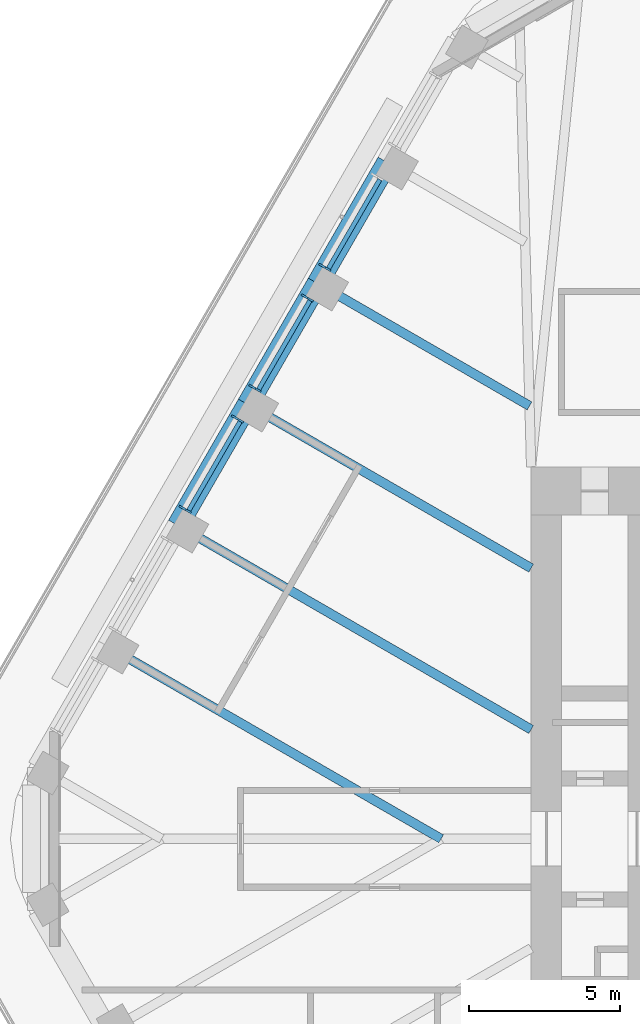
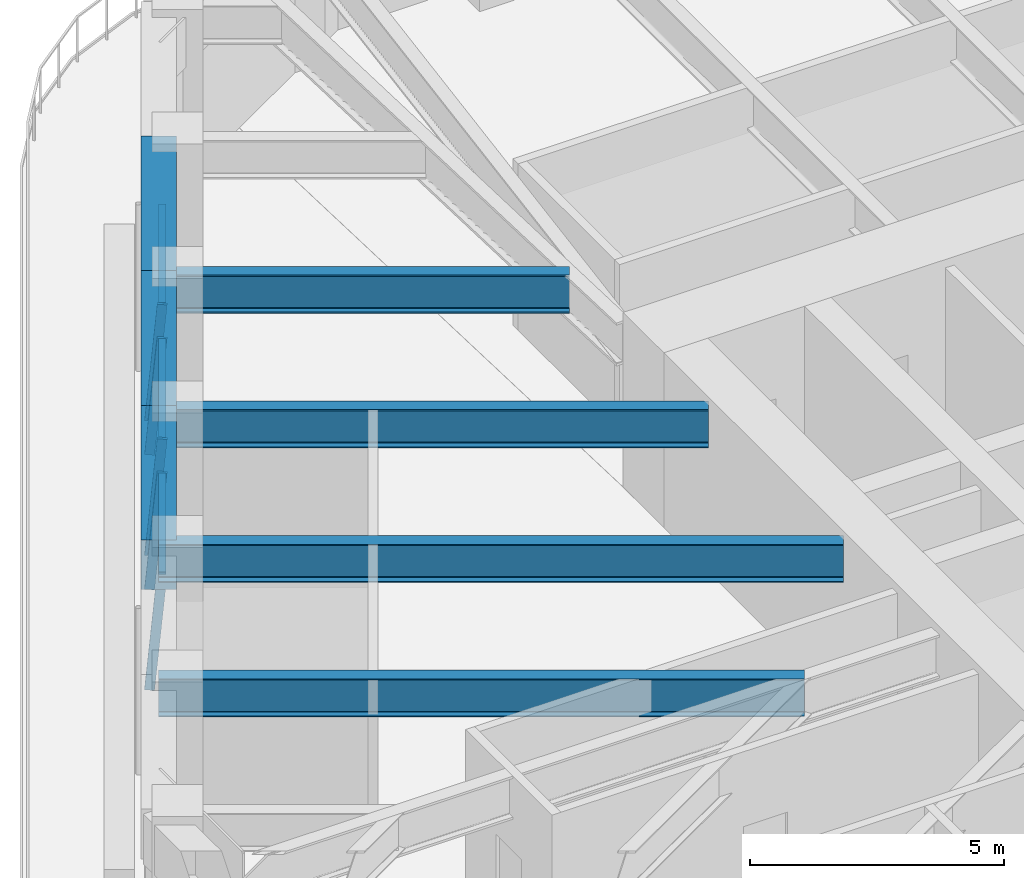
# One storey, part 7 of 20: 8 members, 7 beams, 3 elements without a shape of their own.
"""IFC4 building model written with IfcOpenShell, lengths in metres."""

from ifc_helpers import new_model, si_unit, direction, frame, origin, origin_2d, place, context, subcontext, project, spatial, rectangle, i_section, extrude, material, material_profile, profile_set, type_object, element, aggregate, save


model = new_model("IFC4")

# Units and contexts
model_context = context("Model", 3, precision=1e-05, world=origin(), true_north=direction((0.0, 1.0)))
body_context = subcontext(model_context, "Body", "Model", "MODEL_VIEW")
ifc_project = project(units=[si_unit("LENGTHUNIT", "METRE"), si_unit("AREAUNIT", "SQUARE_METRE"), si_unit("VOLUMEUNIT", "CUBIC_METRE"), si_unit("PLANEANGLEUNIT", "RADIAN"), si_unit("MASSUNIT", "GRAM", prefix="KILO")], contexts=[model_context])

# Site, building, storey
site_placement = place(None, origin())
site = spatial("IfcSite", under=ifc_project, at=site_placement, CompositionType="ELEMENT")
building_placement = place(site_placement, origin())
building = spatial("IfcBuilding", under=site, at=building_placement, Name="Tarfa Lantern Tower", CompositionType="ELEMENT")
storey_placement = place(building_placement, frame((0.0, 0.0, 282.699951171875)))
storey = spatial("IfcBuildingStorey", under=building, at=storey_placement, Name="L64", CompositionType="ELEMENT", Elevation=282.699951171875)

# Curtain wall, member
ifc_material_1 = material(Name="Aluminium framed curtain wall", Category="aluminium")
curtain_wall_type = type_object("IfcCurtainWallType", Name="CW3 CANTED GLAZING HIGH ZONE 2800", PredefinedType="USERDEFINED", material=ifc_material_1)
curtain_wall_1_placement = place(storey_placement, origin())
curtain_wall_1 = element("IfcCurtainWall", 1, at=curtain_wall_1_placement, inside=storey, type_object=curtain_wall_type, Name="CW3 NW L64", ObjectType="CURTAIN WALL", PredefinedType="USERDEFINED")
ifc_material_2 = material(Name="Aluminium mullion", Category="aluminium")
ifc_material_profile_1 = material_profile(ifc_material_2, rectangle(XDim=0.06494140625, YDim=0.199951171875, at=origin_2d()), Name="AL MULLION 65x200")
ifc_profile_set_1 = profile_set([ifc_material_profile_1], Name="Aluminium mullion")
member_type_1 = type_object("IfcMemberType", Name="CWM1 MULLION 65x200", PredefinedType="MULLION", material=ifc_profile_set_1)
member_1_placement = place(storey_placement, frame((-22.427490234375, 18.954345703125, 0.0), z_axis=(0.077032386753, -0.044465143199, 0.996036576854), x_axis=(0.499919672301, 0.866071776036, 0.0)))
member_1 = element("IfcMember", 2, at=member_1_placement, type_object=member_type_1, Name="CW3 mullion 2", PredefinedType="MULLION", context=body_context, shape_type="SweptSolid", body=[
    extrude(rectangle(XDim=0.06494140625, YDim=0.199951171875, at=origin_2d()), origin(), (0.0, 0.0, 1.0), 2.811279296875),
])

# Curtain wall, members
curtain_wall_2_placement = place(storey_placement, origin())
curtain_wall_2 = element("IfcCurtainWall", 3, at=curtain_wall_2_placement, inside=storey, type_object=curtain_wall_type, Name="CW3 NW L64", ObjectType="CURTAIN WALL", PredefinedType="USERDEFINED")
member_2_placement = place(storey_placement, frame((-23.010009765625, 17.945556640625, 0.0), z_axis=(0.077032386753, -0.044465143199, 0.996036576854), x_axis=(0.499919672301, 0.866071776036, 0.0)))
member_2 = element("IfcMember", 4, at=member_2_placement, type_object=member_type_1, Name="CW3 mullion 1", PredefinedType="MULLION", context=body_context, shape_type="SweptSolid", body=[
    extrude(rectangle(XDim=0.06494140625, YDim=0.199951171875, at=origin_2d()), origin(), (0.0, 0.0, 1.0), 2.811279296875),
])
member_3_placement = place(storey_placement, frame((-24.73681640625, 14.954345703125, 0.0), z_axis=(0.077032386753, -0.044465143199, 0.996036576854), x_axis=(0.499919672301, 0.866071776036, 0.0)))
member_3 = element("IfcMember", 5, at=member_3_placement, type_object=member_type_1, Name="CW3 mullion 2", PredefinedType="MULLION", context=body_context, shape_type="SweptSolid", body=[
    extrude(rectangle(XDim=0.06494140625, YDim=0.199951171875, at=origin_2d()), origin(), (0.0, 0.0, 1.0), 2.811279296875),
])

curtain_wall_3_placement = place(storey_placement, origin())
curtain_wall_3 = element("IfcCurtainWall", 6, at=curtain_wall_3_placement, inside=storey, type_object=curtain_wall_type, Name="CW3 NW L64", ObjectType="CURTAIN WALL", PredefinedType="USERDEFINED")
member_4_placement = place(storey_placement, frame((-25.3193359375, 13.945556640625, 0.0), z_axis=(0.077032386753, -0.044465143199, 0.996036576854), x_axis=(0.499919672301, 0.866071776036, 0.0)))
member_4 = element("IfcMember", 7, at=member_4_placement, type_object=member_type_1, Name="CW3 mullion 1", PredefinedType="MULLION", context=body_context, shape_type="SweptSolid", body=[
    extrude(rectangle(XDim=0.06494140625, YDim=0.199951171875, at=origin_2d()), origin(), (0.0, 0.0, 1.0), 2.811279296875),
])
member_5_placement = place(storey_placement, frame((-27.04638671875, 10.954345703125, 0.0), z_axis=(0.077032386753, -0.044465143199, 0.996036576854), x_axis=(0.499919672301, 0.866071776036, 0.0)))
member_5 = element("IfcMember", 8, at=member_5_placement, type_object=member_type_1, Name="CW3 mullion 2", PredefinedType="MULLION", context=body_context, shape_type="SweptSolid", body=[
    extrude(rectangle(XDim=0.06494140625, YDim=0.199951171875, at=origin_2d()), origin(), (0.0, 0.0, 1.0), 2.811279296875),
])

# Member
ifc_material_3 = material(Name="Aluminium transom", Category="aluminium")
ifc_material_profile_2 = material_profile(ifc_material_3, rectangle(XDim=0.14990234375, YDim=0.06494140625, at=origin_2d()), Name="AL TRANSOM 150x65")
ifc_profile_set_2 = profile_set([ifc_material_profile_2], Name="Aluminium transom")
member_type_2 = type_object("IfcMemberType", Name="CWT1 TRANSOM 150x65", PredefinedType="USERDEFINED", material=ifc_profile_set_2)
member_6_placement = place(storey_placement, frame((-20.5029296875, 21.7939453125, 2.767578125), z_axis=(-0.499982299553, -0.866035622901, 0.0), x_axis=(0.866035622901, -0.499982299553, 0.0)))
member_6 = element("IfcMember", 9, at=member_6_placement, type_object=member_type_2, Name="CW3 transom 1.2", ObjectType="TRANSOM", PredefinedType="USERDEFINED", context=body_context, shape_type="SweptSolid", body=[
    extrude(rectangle(XDim=0.14990234375, YDim=0.06494140625, at=origin_2d()), origin(), (0.0, 0.0, 1.0), 3.388671875),
])

aggregate(curtain_wall_1, [member_1, member_6])

member_7_placement = place(storey_placement, frame((-22.812255859375, 17.7939453125, 2.767578125), z_axis=(-0.499982299553, -0.866035622901, 0.0), x_axis=(0.866035622901, -0.499982299553, 0.0)))
member_7 = element("IfcMember", 10, at=member_7_placement, type_object=member_type_2, Name="CW3 transom 1.2", ObjectType="TRANSOM", PredefinedType="USERDEFINED", context=body_context, shape_type="SweptSolid", body=[
    extrude(rectangle(XDim=0.14990234375, YDim=0.06494140625, at=origin_2d()), origin(), (0.0, 0.0, 1.0), 3.388671875),
])

aggregate(curtain_wall_2, [member_2, member_3, member_7])

member_8_placement = place(storey_placement, frame((-25.12158203125, 13.7939453125, 2.767578125), z_axis=(-0.500036330578, -0.866004427299, 0.0), x_axis=(0.866004427299, -0.500036330578, 0.0)))
member_8 = element("IfcMember", 11, at=member_8_placement, type_object=member_type_2, Name="CW3 transom 1.2", ObjectType="TRANSOM", PredefinedType="USERDEFINED", context=body_context, shape_type="SweptSolid", body=[
    extrude(rectangle(XDim=0.14990234375, YDim=0.06494140625, at=origin_2d()), origin(), (0.0, 0.0, 1.0), 3.388916015625),
])

aggregate(curtain_wall_3, [member_4, member_5, member_8])

# Beams
ifc_material_4 = material(Name="Concrete C80/95", Category="concrete")
ifc_material_profile_3 = material_profile(ifc_material_4, rectangle(XDim=0.699951171875, YDim=1.199951171875, at=origin_2d()), Name="RC 700x1200")
ifc_profile_set_3 = profile_set([ifc_material_profile_3], Name="Concrete C80/95")
beam_type_1 = type_object("IfcBeamType", Name="EB3 RC 700x1200", PredefinedType="SPANDREL", material=ifc_profile_set_3)
beam_1_placement = place(storey_placement, frame((-20.25341796875, 22.360107421875, 3.400146484375), z_axis=(-0.499987836815, -0.866032426089, 0.0), x_axis=(0.866032426089, -0.499987836815, 0.0)))
element("IfcBeam", 12, at=beam_1_placement, inside=storey, type_object=beam_type_1, Name="Edge beam NW1", PredefinedType="SPANDREL", context=body_context, shape_type="SweptSolid", body=[
    extrude(rectangle(XDim=0.699951171875, YDim=1.199951171875, at=origin_2d()), origin(), (0.0, 0.0, 1.0), 4.61865234375),
])
beam_2_placement = place(storey_placement, frame((-22.562744140625, 18.360107421875, 3.400146484375), z_axis=(-0.500027479704, -0.866009537788, 0.0), x_axis=(0.866009537788, -0.500027479704, 0.0)))
element("IfcBeam", 13, at=beam_2_placement, inside=storey, type_object=beam_type_1, Name="Edge beam NW2", PredefinedType="SPANDREL", context=body_context, shape_type="SweptSolid", body=[
    extrude(rectangle(XDim=0.699951171875, YDim=1.199951171875, at=origin_2d()), origin(), (0.0, 0.0, 1.0), 4.618896484375),
])
beam_3_placement = place(storey_placement, frame((-24.872314453125, 14.360107421875, 3.400146484375), z_axis=(-0.499987836815, -0.866032426089, 0.0), x_axis=(0.866032426089, -0.499987836815, 0.0)))
element("IfcBeam", 14, at=beam_3_placement, inside=storey, type_object=beam_type_1, Name="Edge beam NW3", PredefinedType="SPANDREL", context=body_context, shape_type="SweptSolid", body=[
    extrude(rectangle(XDim=0.699951171875, YDim=1.199951171875, at=origin_2d()), origin(), (0.0, 0.0, 1.0), 4.61865234375),
])
ifc_material_5 = material(Name="Steel S460M", Category="steel")
ifc_material_profile_4 = material_profile(ifc_material_5, i_section(OverallWidth=0.305419921875, OverallDepth=0.91845703125, WebThickness=0.017333984375, FlangeThickness=0.02783203125, FilletRadius=0.01904296875, at=origin_2d()), Name="UB914x305x253")
ifc_profile_set_4 = profile_set([ifc_material_profile_4], Name="Steel S460M")
beam_type_2 = type_object("IfcBeamType", Name="UB914x305x253", PredefinedType="BEAM", material=ifc_profile_set_4)
beam_4_placement = place(storey_placement, frame((-22.562744140625, 18.360107421875, 3.540771484375), z_axis=(0.866010787764, -0.500025314835, 0.0), x_axis=(0.500025314835, 0.866010787764, 0.0)))
element("IfcBeam", 15, at=beam_4_placement, inside=storey, type_object=beam_type_2, Name="Floor beam NW2", PredefinedType="BEAM", context=body_context, shape_type="SweptSolid", body=[
    extrude(i_section(OverallWidth=0.305419921875, OverallDepth=0.91845703125, WebThickness=0.017333984375, FlangeThickness=0.02783203125, FilletRadius=0.01904296875, at=origin_2d()), origin(), (0.0, 0.0, 1.0), 8.09423828125),
])
beam_5_placement = place(storey_placement, frame((-24.872314453125, 14.360107421875, 3.540771484375), z_axis=(0.8660244219, -0.500001700669, 0.0), x_axis=(0.500001700669, 0.8660244219, 0.0)))
element("IfcBeam", 16, at=beam_5_placement, inside=storey, type_object=beam_type_2, Name="Floor beam NW3", PredefinedType="BEAM", context=body_context, shape_type="SweptSolid", body=[
    extrude(i_section(OverallWidth=0.305419921875, OverallDepth=0.91845703125, WebThickness=0.017333984375, FlangeThickness=0.02783203125, FilletRadius=0.01904296875, at=origin_2d()), origin(), (0.0, 0.0, 1.0), 10.822265625),
])
beam_6_placement = place(storey_placement, frame((-27.181640625, 10.360107421875, 3.540771484375), z_axis=(0.866018002818, -0.500012818631, 0.0), x_axis=(0.500012818631, 0.866018002818, 0.0)))
element("IfcBeam", 17, at=beam_6_placement, inside=storey, type_object=beam_type_2, Name="Floor beam NW4", PredefinedType="BEAM", context=body_context, shape_type="SweptSolid", body=[
    extrude(i_section(OverallWidth=0.305419921875, OverallDepth=0.91845703125, WebThickness=0.017333984375, FlangeThickness=0.02783203125, FilletRadius=0.01904296875, at=origin_2d()), origin(), (0.0, 0.0, 1.0), 13.489013671875),
])
beam_7_placement = place(storey_placement, frame((-29.490966796875, 6.360107421875, 3.540771484375), z_axis=(0.866022258038, -0.500005448553, 0.0), x_axis=(0.500005448553, 0.866022258038, 0.0)))
element("IfcBeam", 18, at=beam_7_placement, inside=storey, type_object=beam_type_2, Name="Floor beam NW5", PredefinedType="BEAM", context=body_context, shape_type="SweptSolid", body=[
    extrude(i_section(OverallWidth=0.305419921875, OverallDepth=0.91845703125, WebThickness=0.017333984375, FlangeThickness=0.02783203125, FilletRadius=0.01904296875, at=origin_2d()), origin(), (0.0, 0.0, 1.0), 12.719970703125),
])

save(model, "model.ifc")
